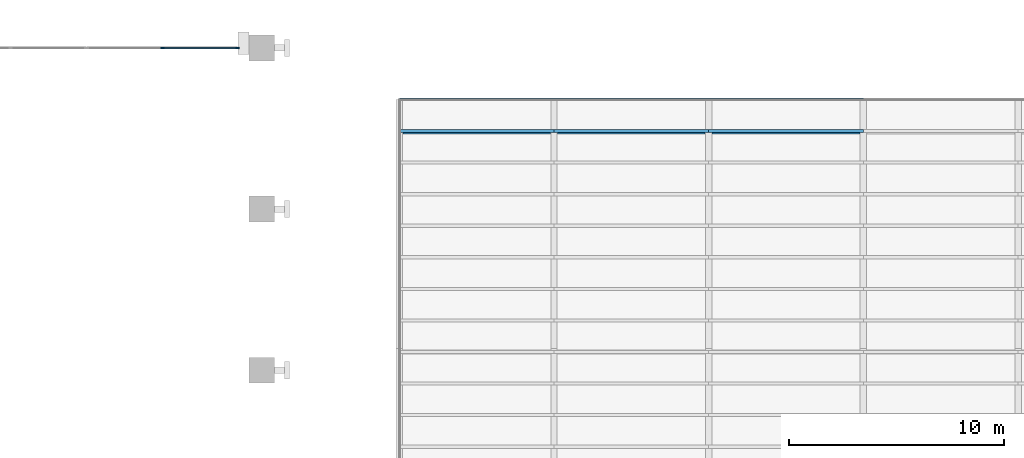
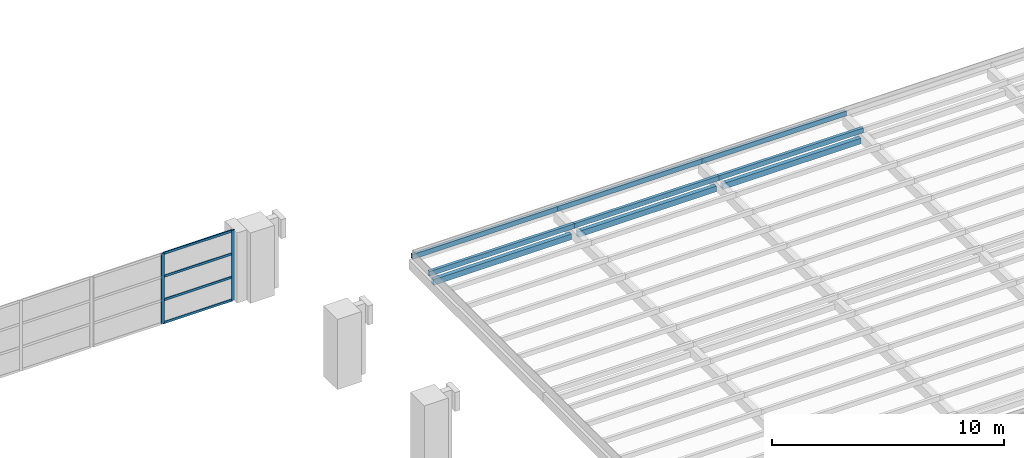
# One storey, part 18 of 67: 12 members, 3 beams, 1 element without a shape of its own.
"""IFC4 building model written with IfcOpenShell, lengths in metres."""

from ifc_helpers import new_model, si_unit, direction, frame, origin, origin_2d, place, context, subcontext, project, spatial, rectangle, hollow_rectangle, extrude, material, layer, layer_set, material_profile, profile_set, type_object, element, aggregate, save


model = new_model("IFC4")

# Units and contexts
model_context = context("Model", 3, precision=1e-05, world=origin(), true_north=direction((0.0, 1.0)))
body_context = subcontext(model_context, "Body", "Model", "MODEL_VIEW")
ifc_project = project(units=[si_unit("LENGTHUNIT", "METRE"), si_unit("AREAUNIT", "SQUARE_METRE"), si_unit("VOLUMEUNIT", "CUBIC_METRE"), si_unit("PLANEANGLEUNIT", "RADIAN"), si_unit("MASSUNIT", "GRAM", prefix="KILO")], contexts=[model_context])

# Site, building, storey
site_placement = place(None, origin())
site = spatial("IfcSite", under=ifc_project, at=site_placement, CompositionType="ELEMENT")
building_placement = place(site_placement, origin())
building = spatial("IfcBuilding", under=site, at=building_placement, Name="Cour d'Honneur Mobility Palace", CompositionType="ELEMENT")
storey_placement = place(building_placement, frame((0.0, 0.0, 4.5)))
storey = spatial("IfcBuildingStorey", under=building, at=storey_placement, Name="L01", CompositionType="ELEMENT", Elevation=4.5)

# Members
ifc_material_1 = material(Name="Steel S355", Category="steel")
ifc_material_profile_1 = material_profile(ifc_material_1, hollow_rectangle(XDim=0.14990234375, YDim=0.25, WallThickness=0.010009765625, at=origin_2d()), Name="RHS 250x150x10")
ifc_profile_set_1 = profile_set([ifc_material_profile_1], Name="Steel S355")
member_type_1 = type_object("IfcMemberType", Name="Canopy purlin RHS 250x150x10", PredefinedType="PURLIN", material=ifc_profile_set_1)
for number, where, z_axis, x_axis, name in (
    (1, (106.300048828125, 111.03125, 1.125), (1.0, 0.0, 0.0), (0.0, 1.0, 0.0), "Canopy purlin FCP-E16.1"),
    (2, (113.5, 111.03125, 1.125), (1.0, 0.0, 0.0), (0.0, 1.0, 0.0), "Canopy purlin FCP-E16.2"),
    (3, (120.699951171875, 111.03125, 1.125), (1.0, 0.0, 0.0), (0.0, 1.0, 0.0), "Canopy purlin FCP-E16.3"),
    (4, (106.300048828125, 112.5, 1.125), (1.0, 0.0, 0.0), (0.0, 1.0, 0.0), "Canopy purlin FCP-E17.1"),
    (5, (113.5, 112.5, 1.125), (1.0, 0.0, 0.0), (0.0, 1.0, 0.0), "Canopy purlin FCP-E17.2"),
    (6, (120.699951171875, 112.5, 1.125), (1.0, 0.0, 0.0), (0.0, 1.0, 0.0), "Canopy purlin FCP-E17.3"),
):
    element("IfcMember", number, at=place(storey_placement, frame(where, z_axis=z_axis, x_axis=x_axis)), inside=storey, type_object=member_type_1, Name=name, PredefinedType="PURLIN", context=body_context, shape_type="SweptSolid", body=[
        extrude(hollow_rectangle(XDim=0.14990234375, YDim=0.25, WallThickness=0.010009765625, at=origin_2d()), origin(), (0.0, 0.0, 1.0), 7.199951171875),
    ])

# Beams
ifc_material_2 = material(Name="Steel S355", Category="steel")
ifc_material_profile_2 = material_profile(ifc_material_2, hollow_rectangle(XDim=0.199951171875, YDim=0.300048828125, WallThickness=0.012451171875, at=origin_2d()), Name="RHS 300x200x12.5")
ifc_profile_set_2 = profile_set([ifc_material_profile_2], Name="Steel S355")
beam_type = type_object("IfcBeamType", Name="Canopy tie beam RHS 300x200x12.5", PredefinedType="BEAM", material=ifc_profile_set_2)
for number, where, z_axis, x_axis, name in (
    (7, (106.4619140625, 111.0, 0.64990234375), (1.0, 0.0, 0.0), (0.0, 1.0, 0.0), "Canopy tie beam FCT-E3.1"),
    (8, (113.661865234375, 111.0, 0.64990234375), (1.0, 0.0, 0.0), (0.0, 1.0, 0.0), "Canopy tie beam FCT-E3.2"),
):
    element("IfcBeam", number, at=place(storey_placement, frame(where, z_axis=z_axis, x_axis=x_axis)), inside=storey, type_object=beam_type, Name=name, PredefinedType="BEAM", context=body_context, shape_type="SweptSolid", body=[
        extrude(hollow_rectangle(XDim=0.199951171875, YDim=0.300048828125, WallThickness=0.012451171875, at=origin_2d()), origin(), (0.0, 0.0, 1.0), 6.876220703125),
    ])
beam_placement = place(storey_placement, frame((120.862060546875, 111.0, 0.64990234375), z_axis=(1.0, 0.0, 0.0), x_axis=(0.0, 1.0, 0.0)))
element("IfcBeam", 9, at=beam_placement, inside=storey, type_object=beam_type, Name="Canopy tie beam FCT-E3.3", PredefinedType="BEAM", context=body_context, shape_type="SweptSolid", body=[
    extrude(hollow_rectangle(XDim=0.199951171875, YDim=0.300048828125, WallThickness=0.012451171875, at=origin_2d()), origin(), (0.0, 0.0, 1.0), 6.8759765625),
])

# Curtain wall, members
ifc_material_3 = material(Name="Aluminium and glass", Category="aluminium")
ifc_layer = layer(ifc_material_3, 0.10009765625)
ifc_layer_set = layer_set([ifc_layer], Name="Aluminium and glass")
curtain_wall_type = type_object("IfcCurtainWallType", Name="Curtain wall run", PredefinedType="NOTDEFINED", material=ifc_layer_set)
curtain_wall_placement = place(storey_placement, origin())
curtain_wall = element("IfcCurtainWall", 10, at=curtain_wall_placement, inside=storey, type_object=curtain_wall_type, Name="Curtain wall CW-175", PredefinedType="NOTDEFINED")
ifc_material_4 = material(Name="Aluminium", Category="aluminium")
ifc_material_profile_3 = material_profile(ifc_material_4, rectangle(XDim=0.06005859375, YDim=0.159912109375, at=origin_2d()), Name="Curtain wall mullion")
ifc_profile_set_3 = profile_set([ifc_material_profile_3], Name="Aluminium")
member_type_2 = type_object("IfcMemberType", Name="Curtain wall mullion", PredefinedType="MULLION", material=ifc_profile_set_3)
member_1_placement = place(storey_placement, frame((95.27001953125, 114.89990234375, 0.0), z_axis=(0.0, 0.0, 1.0), x_axis=(0.0, 1.0, 0.0)))
member_1 = element("IfcMember", 11, at=member_1_placement, type_object=member_type_2, Name="CW-175 mullion 2", PredefinedType="MULLION", context=body_context, shape_type="SweptSolid", body=[
    extrude(rectangle(XDim=0.06005859375, YDim=0.159912109375, at=origin_2d()), origin(), (0.0, 0.0, 1.0), 3.699951171875),
])
member_2_placement = place(storey_placement, frame((98.77001953125, 114.89990234375, 0.0), z_axis=(0.0, 0.0, 1.0), x_axis=(0.0, 1.0, 0.0)))
member_2 = element("IfcMember", 12, at=member_2_placement, type_object=member_type_2, Name="CW-175 mullion 3", PredefinedType="MULLION", context=body_context, shape_type="SweptSolid", body=[
    extrude(rectangle(XDim=0.06005859375, YDim=0.159912109375, at=origin_2d()), origin(), (0.0, 0.0, 1.0), 3.699951171875),
])
ifc_material_5 = material(Name="Aluminium", Category="aluminium")
ifc_material_profile_4 = material_profile(ifc_material_5, rectangle(XDim=0.06005859375, YDim=0.1201171875, at=origin_2d()), Name="Curtain wall transom")
ifc_profile_set_4 = profile_set([ifc_material_profile_4], Name="Aluminium")
member_type_3 = type_object("IfcMemberType", Name="Curtain wall transom", PredefinedType="USERDEFINED", material=ifc_profile_set_4)
member_3_placement = place(storey_placement, frame((95.300048828125, 114.89990234375, 0.030029296875), z_axis=(1.0, 0.0, 0.0), x_axis=(0.0, 1.0, 0.0)))
member_3 = element("IfcMember", 13, at=member_3_placement, type_object=member_type_3, Name="CW-175 transom 2.1", ObjectType="TRANSOM", PredefinedType="USERDEFINED", context=body_context, shape_type="SweptSolid", body=[
    extrude(rectangle(XDim=0.06005859375, YDim=0.1201171875, at=origin_2d()), origin(), (0.0, 0.0, 1.0), 3.43994140625),
])
member_4_placement = place(storey_placement, frame((95.300048828125, 114.89990234375, 1.2333984375), z_axis=(1.0, 0.0, 0.0), x_axis=(0.0, 1.0, 0.0)))
member_4 = element("IfcMember", 14, at=member_4_placement, type_object=member_type_3, Name="CW-175 transom 2.2", ObjectType="TRANSOM", PredefinedType="USERDEFINED", context=body_context, shape_type="SweptSolid", body=[
    extrude(rectangle(XDim=0.06005859375, YDim=0.1201171875, at=origin_2d()), origin(), (0.0, 0.0, 1.0), 3.43994140625),
])
member_5_placement = place(storey_placement, frame((95.300048828125, 114.89990234375, 2.466552734375), z_axis=(1.0, 0.0, 0.0), x_axis=(0.0, 1.0, 0.0)))
member_5 = element("IfcMember", 15, at=member_5_placement, type_object=member_type_3, Name="CW-175 transom 2.3", ObjectType="TRANSOM", PredefinedType="USERDEFINED", context=body_context, shape_type="SweptSolid", body=[
    extrude(rectangle(XDim=0.06005859375, YDim=0.1201171875, at=origin_2d()), origin(), (0.0, 0.0, 1.0), 3.43994140625),
])
member_6_placement = place(storey_placement, frame((95.300048828125, 114.89990234375, 3.669921875), z_axis=(1.0, 0.0, 0.0), x_axis=(0.0, 1.0, 0.0)))
member_6 = element("IfcMember", 16, at=member_6_placement, type_object=member_type_3, Name="CW-175 transom 2.4", ObjectType="TRANSOM", PredefinedType="USERDEFINED", context=body_context, shape_type="SweptSolid", body=[
    extrude(rectangle(XDim=0.06005859375, YDim=0.1201171875, at=origin_2d()), origin(), (0.0, 0.0, 1.0), 3.43994140625),
])
aggregate(curtain_wall, [member_1, member_2, member_3, member_4, member_5, member_6])

save(model, "model.ifc")
